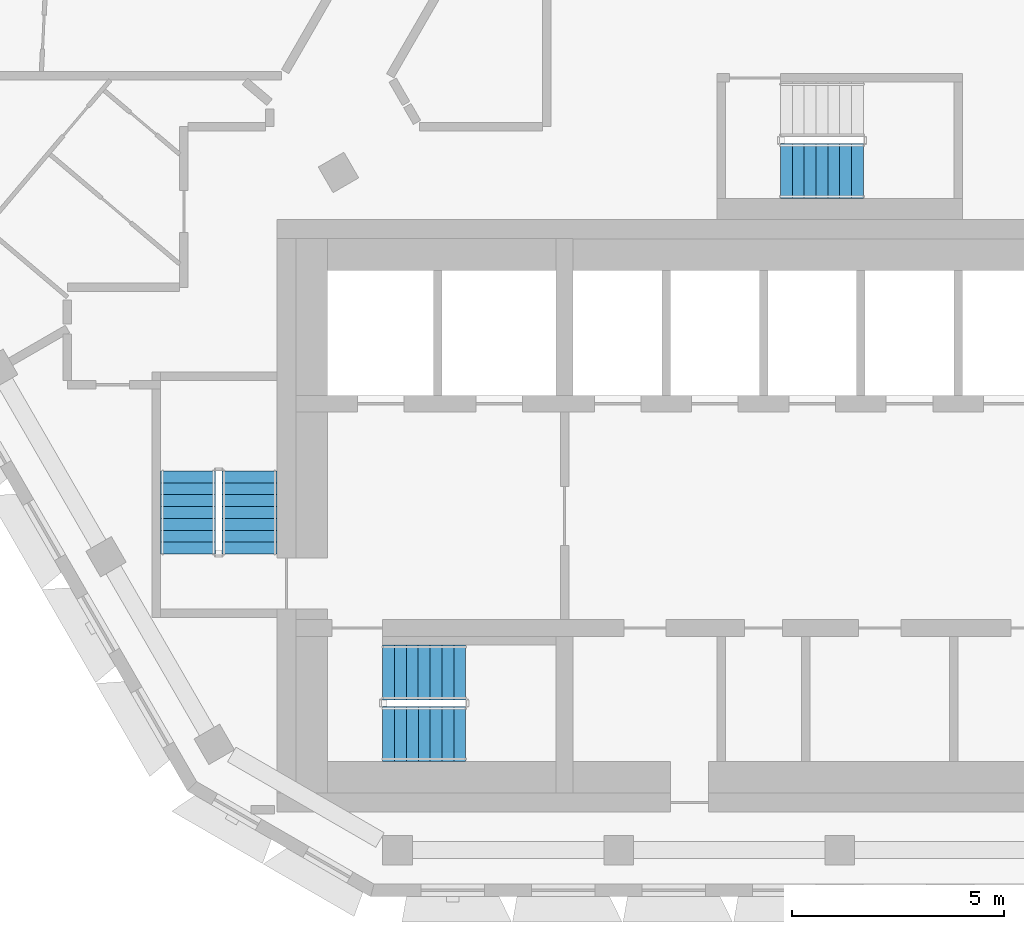
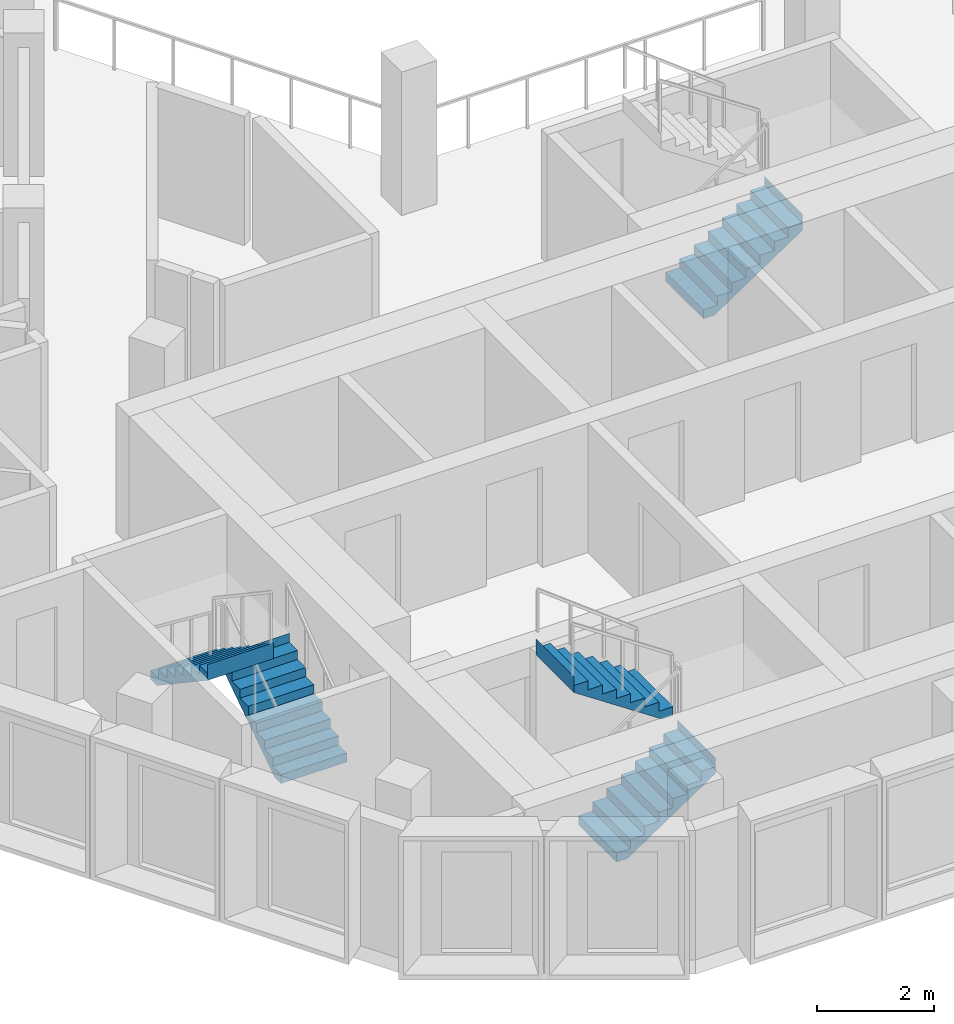
# One storey, part 10 of 16: 5 stair flights, 3 elements without a shape of their own.
"""IFC4 building model written with IfcOpenShell, lengths in metres."""

import ifcopenshell
import ifcopenshell.guid

model = None  # the IFC model being written
_history = None  # IfcOwnerHistory: only IFC2X3 demands one
_inside = {}  # id of a spatial element -> (the spatial element, [elements in it])
_under = {}  # id of a project, library or spatial element -> (it, [spatial elements below it])
_declared = {}  # id of a project -> (the project, [libraries it declares])
_typed = {}  # id of a type object -> (the type object, [elements of that type])
_made_of = {}  # id of a material, layer set ... -> (it, [elements and type objects made of it])


def new_model(schema):
    """Start an empty IFC model of exactly this schema.

    Asked for "IFC4X3", IfcOpenShell would pick the latest addendum, in which some entities
    have other attributes; the version numbers below select the first issue.
    IFC2X3 requires an IfcOwnerHistory on every rooted entity: one is made here for all.
    """
    global model, _history
    if schema == "IFC4X3":
        model = ifcopenshell.file(schema_version=(4, 3, 0, 0))
    else:
        model = ifcopenshell.file(schema=schema)
    _inside.clear()
    _under.clear()
    _declared.clear()
    _typed.clear()
    _made_of.clear()
    _history = None
    if model.schema == "IFC2X3":
        org = make("IfcOrganization", Name="unknown")
        user = make(
            "IfcPersonAndOrganization",
            ThePerson=make("IfcPerson", FamilyName="unknown"),
            TheOrganization=org,
        )
        app = make(
            "IfcApplication",
            ApplicationDeveloper=org,
            Version="unknown",
            ApplicationFullName="unknown",
            ApplicationIdentifier="unknown",
        )
        _history = make(
            "IfcOwnerHistory",
            OwningUser=user,
            OwningApplication=app,
            ChangeAction="ADDED",
            CreationDate=0,
        )
    return model


def make(cls, **values):
    """One entity of the class cls with the attributes given. An attribute that is None is left unset."""
    return model.create_entity(
        cls, **{name: value for name, value in values.items() if value is not None}
    )


def rooted(cls, **values):
    """An entity with a GlobalId (a new one), such as an element, a storey or a relation."""
    return make(cls, GlobalId=ifcopenshell.guid.new(), OwnerHistory=_history, **values)


def si_unit(unit_type, name, prefix=None):
    """IfcSIUnit, for example si_unit("LENGTHUNIT", "METRE", prefix="MILLI")."""
    return make("IfcSIUnit", UnitType=unit_type, Prefix=prefix, Name=name)


def assignment(units):
    """IfcUnitAssignment: the units of a project."""
    return None if units is None else make("IfcUnitAssignment", Units=units)


def point(xyz):
    """IfcCartesianPoint."""
    return None if xyz is None else make("IfcCartesianPoint", Coordinates=xyz)


def direction(xyz):
    """IfcDirection."""
    return None if xyz is None else make("IfcDirection", DirectionRatios=xyz)


def frame(location, z_axis=None, x_axis=None):
    """IfcAxis2Placement3D, a coordinate frame: its origin and axes. An axis left out is left unset."""
    return make(
        "IfcAxis2Placement3D",
        Location=point(location),
        Axis=direction(z_axis),
        RefDirection=direction(x_axis),
    )


def origin():
    """The frame at (0, 0, 0) with its axes left unset."""
    return frame((0.0, 0.0, 0.0))


def place(relative_to, where):
    """IfcLocalPlacement: puts the frame where relative to a parent placement (None: the world)."""
    return make(
        "IfcLocalPlacement", PlacementRelTo=relative_to, RelativePlacement=where
    )


def context(
    kind, dimensions, precision=None, world=None, true_north=None, identifier=None
):
    """IfcGeometricRepresentationContext, for example the 3D "Model" context."""
    return make(
        "IfcGeometricRepresentationContext",
        ContextIdentifier=identifier,
        ContextType=kind,
        CoordinateSpaceDimension=dimensions,
        Precision=precision,
        WorldCoordinateSystem=world,
        TrueNorth=true_north,
    )


def subcontext(parent, identifier, kind, view, scale=None):
    """IfcGeometricRepresentationSubContext, for example "Body" below "Model"."""
    return make(
        "IfcGeometricRepresentationSubContext",
        ContextIdentifier=identifier,
        ContextType=kind,
        ParentContext=parent,
        TargetScale=scale,
        TargetView=view,
    )


def project(units=None, contexts=None):
    """IfcProject with its units and contexts."""
    return rooted(
        "IfcProject",
        Name="project",
        RepresentationContexts=contexts,
        UnitsInContext=assignment(units),
    )


def spatial(cls, under=None, at=None, **own):
    """A site, building, storey or space (cls), placed at a placement, below another one or the project."""
    s = rooted(cls, ObjectPlacement=at, **own)
    if under is not None:
        _under.setdefault(under.id(), (under, []))[1].append(s)
    return s


def point_list(points):
    """IfcCartesianPointList2D or 3D."""
    cls = (
        "IfcCartesianPointList2D" if len(points[0]) == 2 else "IfcCartesianPointList3D"
    )
    return make(cls, CoordList=points)


def triangles(points, corners, closed=None, point_numbers=None):
    """IfcTriangulatedFaceSet: each triangle names its three corners, points numbered from 1."""
    return make(
        "IfcTriangulatedFaceSet",
        Coordinates=point_list(points),
        Closed=closed,
        CoordIndex=corners,
        PnIndex=point_numbers,
    )


def shape(context_of_items, identifier, shape_type, items):
    """IfcShapeRepresentation: the items that make up one representation, for example the "Body"."""
    return make(
        "IfcShapeRepresentation",
        ContextOfItems=context_of_items,
        RepresentationIdentifier=identifier,
        RepresentationType=shape_type,
        Items=items,
    )


def material(Name=None, Category=None):
    """IfcMaterial."""
    return make("IfcMaterial", Name=Name, Category=Category)


def made_of(thing, what):
    """Note that an element or type object is made of a material, layer set ...; save() writes the relation."""
    if what is not None:
        _made_of.setdefault(what.id(), (what, []))[1].append(thing)
    return thing


def type_object(cls, material=None, **own):
    """A type object (cls), such as IfcWallType, which elements share."""
    return made_of(rooted(cls, **own), material)


def element(
    cls,
    number,
    at=None,
    inside=None,
    cuts=None,
    type_object=None,
    material=None,
    context=None,
    identifier="Body",
    shape_type=None,
    held_by="IfcProductDefinitionShape",
    body=None,
    shapes=None,
    **own,
):
    """One element of the class cls, such as IfcWall. Its Tag is "e" and its number.

    at: its placement. inside: the storey or other place that contains it. cuts: it is an
    opening in that element (IfcRelVoidsElement). A single representation is given by context,
    identifier, shape_type and body (its items); several are given by shapes. held_by: the class
    of the entity that holds the representations. save() writes the other relations.
    """
    e = rooted(cls, Tag="e%d" % number, ObjectPlacement=at, **own)
    if body is not None:
        shapes = [shape(context, identifier, shape_type, body)]
    if shapes is not None:
        e.Representation = make(held_by, Representations=shapes)
    if inside is not None:
        _inside.setdefault(inside.id(), (inside, []))[1].append(e)
    if cuts is not None:
        rooted(
            "IfcRelVoidsElement", RelatingBuildingElement=cuts, RelatedOpeningElement=e
        )
    if type_object is not None:
        _typed.setdefault(type_object.id(), (type_object, []))[1].append(e)
    return made_of(e, material)


def aggregate(whole, parts):
    """IfcRelAggregates: a whole, such as a stair, and the parts it consists of."""
    return rooted("IfcRelAggregates", RelatingObject=whole, RelatedObjects=parts)


def save(model, path):
    """Write the relations noted so far, then the file.

    IfcRelAggregates (storeys below a building ...), IfcRelContainedInSpatialStructure (elements
    in a storey), IfcRelDefinesByType, IfcRelAssociatesMaterial and IfcRelDeclares: one each for
    every whole, place, type object, material and project.
    """
    for whole, parts in _under.values():
        aggregate(whole, parts)
    for where, things in _inside.values():
        rooted(
            "IfcRelContainedInSpatialStructure",
            RelatedElements=things,
            RelatingStructure=where,
        )
    for kind, things in _typed.values():
        rooted("IfcRelDefinesByType", RelatedObjects=things, RelatingType=kind)
    for what, things in _made_of.values():
        rooted("IfcRelAssociatesMaterial", RelatedObjects=things, RelatingMaterial=what)
    for by, libraries in _declared.values():
        rooted("IfcRelDeclares", RelatingContext=by, RelatedDefinitions=libraries)
    model.write(path)


model = new_model("IFC4")

# Units and contexts
model_context = context("Model", 3, precision=1e-05, world=origin(), true_north=direction((0.0, 1.0)))
body_context = subcontext(model_context, "Body", "Model", "MODEL_VIEW")
ifc_project = project(units=[si_unit("LENGTHUNIT", "METRE"), si_unit("AREAUNIT", "SQUARE_METRE"), si_unit("VOLUMEUNIT", "CUBIC_METRE"), si_unit("PLANEANGLEUNIT", "RADIAN"), si_unit("MASSUNIT", "GRAM", prefix="KILO")], contexts=[model_context])

# Site, building, storey
site_placement = place(None, origin())
site = spatial("IfcSite", under=ifc_project, at=site_placement, CompositionType="ELEMENT")
building_placement = place(site_placement, origin())
building = spatial("IfcBuilding", under=site, at=building_placement, Name="Beryl Residences", CompositionType="ELEMENT")
storey_placement = place(building_placement, frame((0.0, 0.0, 220.800048828125)))
storey = spatial("IfcBuildingStorey", under=building, at=storey_placement, Name="L68", CompositionType="ELEMENT", Elevation=220.800048828125)

# Stair, stair flights
ifc_material_1 = material(Name="Concrete C40/50", Category="concrete")
stair_type = type_object("IfcStairType", Name="ST1 protected exit stair, half-turn, 1300 mm flights", PredefinedType="HALF_TURN_STAIR", material=ifc_material_1)
stair_1_placement = place(storey_placement, origin())
stair_1 = element("IfcStair", 1, at=stair_1_placement, inside=storey, type_object=stair_type, Name="L68 PROTECTED EXIT STAIR ST-1", PredefinedType="HALF_TURN_STAIR")
ifc_material_2 = material(Name="Concrete C40/50", Category="concrete")
stair_flight_type = type_object("IfcStairFlightType", Name="SF1 stair flight 1300 mm", PredefinedType="STRAIGHT", material=ifc_material_2)
stair_flight_1_placement = place(storey_placement, frame((-10.800048828125, -17.14990234375, 0.0), z_axis=(0.0, 0.0, 1.0), x_axis=(1.0, 0.0, 0.0)))
stair_flight_1 = element("IfcStairFlight", 2, at=stair_flight_1_placement, type_object=stair_flight_type, Name="ST-1 flight 1", NumberOfRisers=8, NumberOfTreads=7, PredefinedType="STRAIGHT", RiserHeight=0.1875, TreadLength=0.28, context=body_context, shape_type="Tessellation", body=[
    triangles([(0.0, -0.64990234375, 0.0), (0.0, -0.324951171875, 0.0), (0.0, 0.0, 0.0), (0.0, 0.324951171875, 0.0), (0.0, 0.64990234375, 0.0), (0.0, -0.64990234375, 0.1875), (0.0, -0.324951171875, 0.1875), (0.0, 0.0, 0.1875), (0.0, 0.324951171875, 0.1875), (0.0, 0.64990234375, 0.1875), (0.280029296875, -0.64990234375, 0.1875), (0.280029296875, -0.324951171875, 0.1875), (0.280029296875, 0.0, 0.1875), (0.280029296875, 0.324951171875, 0.1875), (0.280029296875, 0.64990234375, 0.1875), (0.280029296875, -0.64990234375, 0.375), (0.280029296875, -0.324951171875, 0.375), (0.280029296875, 0.0, 0.375), (0.280029296875, 0.324951171875, 0.375), (0.280029296875, 0.64990234375, 0.375), (0.56005859375, -0.64990234375, 0.375), (0.56005859375, -0.324951171875, 0.375), (0.56005859375, 0.0, 0.375), (0.56005859375, 0.324951171875, 0.375), (0.56005859375, 0.64990234375, 0.375), (0.56005859375, -0.64990234375, 0.5625), (0.56005859375, -0.324951171875, 0.5625), (0.56005859375, 0.0, 0.5625), (0.56005859375, 0.324951171875, 0.5625), (0.56005859375, 0.64990234375, 0.5625), (0.840087890625, -0.64990234375, 0.5625), (0.840087890625, -0.324951171875, 0.5625), (0.840087890625, 0.0, 0.5625), (0.840087890625, 0.324951171875, 0.5625), (0.840087890625, 0.64990234375, 0.5625), (0.840087890625, -0.64990234375, 0.75), (0.840087890625, -0.324951171875, 0.75), (0.840087890625, 0.0, 0.75), (0.840087890625, 0.324951171875, 0.75), (0.840087890625, 0.64990234375, 0.75), (1.1201171875, -0.64990234375, 0.75), (1.1201171875, -0.324951171875, 0.75), (1.1201171875, 0.0, 0.75), (1.1201171875, 0.324951171875, 0.75), (1.1201171875, 0.64990234375, 0.75), (1.1201171875, -0.64990234375, 0.9375), (1.1201171875, -0.324951171875, 0.9375), (1.1201171875, 0.0, 0.9375), (1.1201171875, 0.324951171875, 0.9375), (1.1201171875, 0.64990234375, 0.9375), (1.39990234375, -0.64990234375, 0.9375), (1.39990234375, -0.324951171875, 0.9375), (1.39990234375, 0.0, 0.9375), (1.39990234375, 0.324951171875, 0.9375), (1.39990234375, 0.64990234375, 0.9375), (1.39990234375, -0.64990234375, 1.125), (1.39990234375, -0.324951171875, 1.125), (1.39990234375, 0.0, 1.125), (1.39990234375, 0.324951171875, 1.125), (1.39990234375, 0.64990234375, 1.125), (1.679931640625, -0.64990234375, 1.125), (1.679931640625, -0.324951171875, 1.125), (1.679931640625, 0.0, 1.125), (1.679931640625, 0.324951171875, 1.125), (1.679931640625, 0.64990234375, 1.125), (1.679931640625, -0.64990234375, 1.3125), (1.679931640625, -0.324951171875, 1.3125), (1.679931640625, 0.0, 1.3125), (1.679931640625, 0.324951171875, 1.3125), (1.679931640625, 0.64990234375, 1.3125), (1.9599609375, -0.64990234375, 1.3125), (1.9599609375, -0.324951171875, 1.3125), (1.9599609375, 0.0, 1.3125), (1.9599609375, 0.324951171875, 1.3125), (1.9599609375, 0.64990234375, 1.3125), (1.9599609375, -0.64990234375, 1.5), (1.9599609375, -0.324951171875, 1.5), (1.9599609375, 0.0, 1.5), (1.9599609375, 0.324951171875, 1.5), (1.9599609375, 0.64990234375, 1.5), (1.9609375, -0.64990234375, 1.5), (1.9609375, -0.324951171875, 1.5), (1.9609375, 0.0, 1.5), (1.9609375, 0.324951171875, 1.5), (1.9609375, 0.64990234375, 1.5), (1.9609375, -0.64990234375, 1.16796875), (1.9609375, -0.324951171875, 1.16796875), (1.9609375, 0.0, 1.16796875), (1.9609375, 0.324951171875, 1.16796875), (1.9609375, 0.64990234375, 1.16796875), (0.216796875, -0.64990234375, 0.0), (0.216796875, -0.324951171875, 0.0), (0.216796875, 0.0, 0.0), (0.216796875, 0.324951171875, 0.0), (0.216796875, 0.64990234375, 0.0)], [[1, 6, 7], [1, 7, 2], [2, 7, 8], [2, 8, 3], [3, 8, 9], [3, 9, 4], [4, 9, 10], [4, 10, 5], [6, 11, 12], [6, 12, 7], [7, 12, 13], [7, 13, 8], [8, 13, 14], [8, 14, 9], [9, 14, 15], [9, 15, 10], [11, 16, 17], [11, 17, 12], [12, 17, 18], [12, 18, 13], [13, 18, 19], [13, 19, 14], [14, 19, 20], [14, 20, 15], [16, 21, 22], [16, 22, 17], [17, 22, 23], [17, 23, 18], [18, 23, 24], [18, 24, 19], [19, 24, 25], [19, 25, 20], [21, 26, 27], [21, 27, 22], [22, 27, 28], [22, 28, 23], [23, 28, 29], [23, 29, 24], [24, 29, 30], [24, 30, 25], [26, 31, 32], [26, 32, 27], [27, 32, 33], [27, 33, 28], [28, 33, 34], [28, 34, 29], [29, 34, 35], [29, 35, 30], [31, 36, 37], [31, 37, 32], [32, 37, 38], [32, 38, 33], [33, 38, 39], [33, 39, 34], [34, 39, 40], [34, 40, 35], [36, 41, 42], [36, 42, 37], [37, 42, 43], [37, 43, 38], [38, 43, 44], [38, 44, 39], [39, 44, 45], [39, 45, 40], [41, 46, 47], [41, 47, 42], [42, 47, 48], [42, 48, 43], [43, 48, 49], [43, 49, 44], [44, 49, 50], [44, 50, 45], [46, 51, 52], [46, 52, 47], [47, 52, 53], [47, 53, 48], [48, 53, 54], [48, 54, 49], [49, 54, 55], [49, 55, 50], [51, 56, 57], [51, 57, 52], [52, 57, 58], [52, 58, 53], [53, 58, 59], [53, 59, 54], [54, 59, 60], [54, 60, 55], [56, 61, 62], [56, 62, 57], [57, 62, 63], [57, 63, 58], [58, 63, 64], [58, 64, 59], [59, 64, 65], [59, 65, 60], [61, 66, 67], [61, 67, 62], [62, 67, 68], [62, 68, 63], [63, 68, 69], [63, 69, 64], [64, 69, 70], [64, 70, 65], [66, 71, 72], [66, 72, 67], [67, 72, 73], [67, 73, 68], [68, 73, 74], [68, 74, 69], [69, 74, 75], [69, 75, 70], [71, 76, 77], [71, 77, 72], [72, 77, 78], [72, 78, 73], [73, 78, 79], [73, 79, 74], [74, 79, 80], [74, 80, 75], [76, 81, 82], [76, 82, 77], [77, 82, 83], [77, 83, 78], [78, 83, 84], [78, 84, 79], [79, 84, 85], [79, 85, 80], [81, 86, 87], [81, 87, 82], [82, 87, 88], [82, 88, 83], [83, 88, 89], [83, 89, 84], [84, 89, 90], [84, 90, 85], [86, 91, 92], [86, 92, 87], [87, 92, 93], [87, 93, 88], [88, 93, 94], [88, 94, 89], [89, 94, 95], [89, 95, 90], [91, 1, 2], [91, 2, 92], [92, 2, 3], [92, 3, 93], [93, 3, 4], [93, 4, 94], [94, 4, 5], [94, 5, 95], [1, 91, 86], [5, 90, 95], [86, 81, 76], [90, 80, 85], [86, 76, 71], [90, 75, 80], [86, 71, 66], [90, 70, 75], [86, 66, 61], [90, 65, 70], [61, 56, 51], [65, 55, 60], [86, 61, 51], [90, 55, 65], [51, 46, 41], [55, 45, 50], [86, 51, 41], [90, 45, 55], [41, 36, 31], [45, 35, 40], [86, 41, 31], [90, 35, 45], [31, 26, 21], [35, 25, 30], [86, 31, 21], [90, 25, 35], [21, 16, 11], [25, 15, 20], [86, 21, 11], [90, 15, 25], [1, 86, 11], [5, 15, 90], [11, 6, 1], [15, 5, 10]], closed=True),
])
stair_flight_2_placement = place(storey_placement, frame((-8.840087890625, -15.699951171875, 1.5), z_axis=(0.0, 0.0, 1.0), x_axis=(-1.0, 0.0, 0.0)))
stair_flight_2 = element("IfcStairFlight", 3, at=stair_flight_2_placement, type_object=stair_flight_type, Name="ST-1 flight 2", NumberOfRisers=8, NumberOfTreads=7, PredefinedType="STRAIGHT", RiserHeight=0.1875, TreadLength=0.28, context=body_context, shape_type="Tessellation", body=[
    triangles([(0.0, -0.64990234375, 0.0), (0.0, -0.324951171875, 0.0), (0.0, 0.0, 0.0), (0.0, 0.324951171875, 0.0), (0.0, 0.64990234375, 0.0), (0.0, -0.64990234375, 0.1875), (0.0, -0.324951171875, 0.1875), (0.0, 0.0, 0.1875), (0.0, 0.324951171875, 0.1875), (0.0, 0.64990234375, 0.1875), (0.280029296875, -0.64990234375, 0.1875), (0.280029296875, -0.324951171875, 0.1875), (0.280029296875, 0.0, 0.1875), (0.280029296875, 0.324951171875, 0.1875), (0.280029296875, 0.64990234375, 0.1875), (0.280029296875, -0.64990234375, 0.375), (0.280029296875, -0.324951171875, 0.375), (0.280029296875, 0.0, 0.375), (0.280029296875, 0.324951171875, 0.375), (0.280029296875, 0.64990234375, 0.375), (0.56005859375, -0.64990234375, 0.375), (0.56005859375, -0.324951171875, 0.375), (0.56005859375, 0.0, 0.375), (0.56005859375, 0.324951171875, 0.375), (0.56005859375, 0.64990234375, 0.375), (0.56005859375, -0.64990234375, 0.5625), (0.56005859375, -0.324951171875, 0.5625), (0.56005859375, 0.0, 0.5625), (0.56005859375, 0.324951171875, 0.5625), (0.56005859375, 0.64990234375, 0.5625), (0.840087890625, -0.64990234375, 0.5625), (0.840087890625, -0.324951171875, 0.5625), (0.840087890625, 0.0, 0.5625), (0.840087890625, 0.324951171875, 0.5625), (0.840087890625, 0.64990234375, 0.5625), (0.840087890625, -0.64990234375, 0.75), (0.840087890625, -0.324951171875, 0.75), (0.840087890625, 0.0, 0.75), (0.840087890625, 0.324951171875, 0.75), (0.840087890625, 0.64990234375, 0.75), (1.1201171875, -0.64990234375, 0.75), (1.1201171875, -0.324951171875, 0.75), (1.1201171875, 0.0, 0.75), (1.1201171875, 0.324951171875, 0.75), (1.1201171875, 0.64990234375, 0.75), (1.1201171875, -0.64990234375, 0.9375), (1.1201171875, -0.324951171875, 0.9375), (1.1201171875, 0.0, 0.9375), (1.1201171875, 0.324951171875, 0.9375), (1.1201171875, 0.64990234375, 0.9375), (1.39990234375, -0.64990234375, 0.9375), (1.39990234375, -0.324951171875, 0.9375), (1.39990234375, 0.0, 0.9375), (1.39990234375, 0.324951171875, 0.9375), (1.39990234375, 0.64990234375, 0.9375), (1.39990234375, -0.64990234375, 1.125), (1.39990234375, -0.324951171875, 1.125), (1.39990234375, 0.0, 1.125), (1.39990234375, 0.324951171875, 1.125), (1.39990234375, 0.64990234375, 1.125), (1.679931640625, -0.64990234375, 1.125), (1.679931640625, -0.324951171875, 1.125), (1.679931640625, 0.0, 1.125), (1.679931640625, 0.324951171875, 1.125), (1.679931640625, 0.64990234375, 1.125), (1.679931640625, -0.64990234375, 1.3125), (1.679931640625, -0.324951171875, 1.3125), (1.679931640625, 0.0, 1.3125), (1.679931640625, 0.324951171875, 1.3125), (1.679931640625, 0.64990234375, 1.3125), (1.9599609375, -0.64990234375, 1.3125), (1.9599609375, -0.324951171875, 1.3125), (1.9599609375, 0.0, 1.3125), (1.9599609375, 0.324951171875, 1.3125), (1.9599609375, 0.64990234375, 1.3125), (1.9599609375, -0.64990234375, 1.5), (1.9599609375, -0.324951171875, 1.5), (1.9599609375, 0.0, 1.5), (1.9599609375, 0.324951171875, 1.5), (1.9599609375, 0.64990234375, 1.5), (1.9609375, -0.64990234375, 1.5), (1.9609375, -0.324951171875, 1.5), (1.9609375, 0.0, 1.5), (1.9609375, 0.324951171875, 1.5), (1.9609375, 0.64990234375, 1.5), (1.9609375, -0.64990234375, 1.16796875), (1.9609375, -0.324951171875, 1.16796875), (1.9609375, 0.0, 1.16796875), (1.9609375, 0.324951171875, 1.16796875), (1.9609375, 0.64990234375, 1.16796875), (0.216796875, -0.64990234375, 0.0), (0.216796875, -0.324951171875, 0.0), (0.216796875, 0.0, 0.0), (0.216796875, 0.324951171875, 0.0), (0.216796875, 0.64990234375, 0.0)], [[1, 6, 7], [1, 7, 2], [2, 7, 8], [2, 8, 3], [3, 8, 9], [3, 9, 4], [4, 9, 10], [4, 10, 5], [6, 11, 12], [6, 12, 7], [7, 12, 13], [7, 13, 8], [8, 13, 14], [8, 14, 9], [9, 14, 15], [9, 15, 10], [11, 16, 17], [11, 17, 12], [12, 17, 18], [12, 18, 13], [13, 18, 19], [13, 19, 14], [14, 19, 20], [14, 20, 15], [16, 21, 22], [16, 22, 17], [17, 22, 23], [17, 23, 18], [18, 23, 24], [18, 24, 19], [19, 24, 25], [19, 25, 20], [21, 26, 27], [21, 27, 22], [22, 27, 28], [22, 28, 23], [23, 28, 29], [23, 29, 24], [24, 29, 30], [24, 30, 25], [26, 31, 32], [26, 32, 27], [27, 32, 33], [27, 33, 28], [28, 33, 34], [28, 34, 29], [29, 34, 35], [29, 35, 30], [31, 36, 37], [31, 37, 32], [32, 37, 38], [32, 38, 33], [33, 38, 39], [33, 39, 34], [34, 39, 40], [34, 40, 35], [36, 41, 42], [36, 42, 37], [37, 42, 43], [37, 43, 38], [38, 43, 44], [38, 44, 39], [39, 44, 45], [39, 45, 40], [41, 46, 47], [41, 47, 42], [42, 47, 48], [42, 48, 43], [43, 48, 49], [43, 49, 44], [44, 49, 50], [44, 50, 45], [46, 51, 52], [46, 52, 47], [47, 52, 53], [47, 53, 48], [48, 53, 54], [48, 54, 49], [49, 54, 55], [49, 55, 50], [51, 56, 57], [51, 57, 52], [52, 57, 58], [52, 58, 53], [53, 58, 59], [53, 59, 54], [54, 59, 60], [54, 60, 55], [56, 61, 62], [56, 62, 57], [57, 62, 63], [57, 63, 58], [58, 63, 64], [58, 64, 59], [59, 64, 65], [59, 65, 60], [61, 66, 67], [61, 67, 62], [62, 67, 68], [62, 68, 63], [63, 68, 69], [63, 69, 64], [64, 69, 70], [64, 70, 65], [66, 71, 72], [66, 72, 67], [67, 72, 73], [67, 73, 68], [68, 73, 74], [68, 74, 69], [69, 74, 75], [69, 75, 70], [71, 76, 77], [71, 77, 72], [72, 77, 78], [72, 78, 73], [73, 78, 79], [73, 79, 74], [74, 79, 80], [74, 80, 75], [76, 81, 82], [76, 82, 77], [77, 82, 83], [77, 83, 78], [78, 83, 84], [78, 84, 79], [79, 84, 85], [79, 85, 80], [81, 86, 87], [81, 87, 82], [82, 87, 88], [82, 88, 83], [83, 88, 89], [83, 89, 84], [84, 89, 90], [84, 90, 85], [86, 91, 92], [86, 92, 87], [87, 92, 93], [87, 93, 88], [88, 93, 94], [88, 94, 89], [89, 94, 95], [89, 95, 90], [91, 1, 2], [91, 2, 92], [92, 2, 3], [92, 3, 93], [93, 3, 4], [93, 4, 94], [94, 4, 5], [94, 5, 95], [1, 91, 86], [5, 90, 95], [86, 81, 76], [90, 80, 85], [86, 76, 71], [90, 75, 80], [86, 71, 66], [90, 70, 75], [86, 66, 61], [90, 65, 70], [61, 56, 51], [65, 55, 60], [86, 61, 51], [90, 55, 65], [51, 46, 41], [55, 45, 50], [86, 51, 41], [90, 45, 55], [41, 36, 31], [45, 35, 40], [86, 41, 31], [90, 35, 45], [31, 26, 21], [35, 25, 30], [86, 31, 21], [90, 25, 35], [21, 16, 11], [25, 15, 20], [86, 21, 11], [90, 15, 25], [1, 86, 11], [5, 15, 90], [11, 6, 1], [15, 5, 10]], closed=True),
])
aggregate(stair_1, [stair_flight_1, stair_flight_2])

stair_2_placement = place(storey_placement, origin())
stair_2 = element("IfcStair", 4, at=stair_2_placement, inside=storey, type_object=stair_type, Name="L68 PROTECTED EXIT STAIR ST-2", PredefinedType="HALF_TURN_STAIR")
stair_flight_3_placement = place(storey_placement, frame((-13.949951171875, -12.89990234375, 0.0), z_axis=(0.0, 0.0, 1.0), x_axis=(0.0, 1.0, 0.0)))
stair_flight_3 = element("IfcStairFlight", 5, at=stair_flight_3_placement, type_object=stair_flight_type, Name="ST-2 flight 1", NumberOfRisers=8, NumberOfTreads=7, PredefinedType="STRAIGHT", RiserHeight=0.1875, TreadLength=0.28, context=body_context, shape_type="Tessellation", body=[
    triangles([(0.0, -0.64990234375, 0.0), (0.0, -0.324951171875, 0.0), (0.0, 0.0, 0.0), (0.0, 0.324951171875, 0.0), (0.0, 0.64990234375, 0.0), (0.0, -0.64990234375, 0.1875), (0.0, -0.324951171875, 0.1875), (0.0, 0.0, 0.1875), (0.0, 0.324951171875, 0.1875), (0.0, 0.64990234375, 0.1875), (0.280029296875, -0.64990234375, 0.1875), (0.280029296875, -0.324951171875, 0.1875), (0.280029296875, 0.0, 0.1875), (0.280029296875, 0.324951171875, 0.1875), (0.280029296875, 0.64990234375, 0.1875), (0.280029296875, -0.64990234375, 0.375), (0.280029296875, -0.324951171875, 0.375), (0.280029296875, 0.0, 0.375), (0.280029296875, 0.324951171875, 0.375), (0.280029296875, 0.64990234375, 0.375), (0.56005859375, -0.64990234375, 0.375), (0.56005859375, -0.324951171875, 0.375), (0.56005859375, 0.0, 0.375), (0.56005859375, 0.324951171875, 0.375), (0.56005859375, 0.64990234375, 0.375), (0.56005859375, -0.64990234375, 0.5625), (0.56005859375, -0.324951171875, 0.5625), (0.56005859375, 0.0, 0.5625), (0.56005859375, 0.324951171875, 0.5625), (0.56005859375, 0.64990234375, 0.5625), (0.840087890625, -0.64990234375, 0.5625), (0.840087890625, -0.324951171875, 0.5625), (0.840087890625, 0.0, 0.5625), (0.840087890625, 0.324951171875, 0.5625), (0.840087890625, 0.64990234375, 0.5625), (0.840087890625, -0.64990234375, 0.75), (0.840087890625, -0.324951171875, 0.75), (0.840087890625, 0.0, 0.75), (0.840087890625, 0.324951171875, 0.75), (0.840087890625, 0.64990234375, 0.75), (1.1201171875, -0.64990234375, 0.75), (1.1201171875, -0.324951171875, 0.75), (1.1201171875, 0.0, 0.75), (1.1201171875, 0.324951171875, 0.75), (1.1201171875, 0.64990234375, 0.75), (1.1201171875, -0.64990234375, 0.9375), (1.1201171875, -0.324951171875, 0.9375), (1.1201171875, 0.0, 0.9375), (1.1201171875, 0.324951171875, 0.9375), (1.1201171875, 0.64990234375, 0.9375), (1.39990234375, -0.64990234375, 0.9375), (1.39990234375, -0.324951171875, 0.9375), (1.39990234375, 0.0, 0.9375), (1.39990234375, 0.324951171875, 0.9375), (1.39990234375, 0.64990234375, 0.9375), (1.39990234375, -0.64990234375, 1.125), (1.39990234375, -0.324951171875, 1.125), (1.39990234375, 0.0, 1.125), (1.39990234375, 0.324951171875, 1.125), (1.39990234375, 0.64990234375, 1.125), (1.679931640625, -0.64990234375, 1.125), (1.679931640625, -0.324951171875, 1.125), (1.679931640625, 0.0, 1.125), (1.679931640625, 0.324951171875, 1.125), (1.679931640625, 0.64990234375, 1.125), (1.679931640625, -0.64990234375, 1.3125), (1.679931640625, -0.324951171875, 1.3125), (1.679931640625, 0.0, 1.3125), (1.679931640625, 0.324951171875, 1.3125), (1.679931640625, 0.64990234375, 1.3125), (1.9599609375, -0.64990234375, 1.3125), (1.9599609375, -0.324951171875, 1.3125), (1.9599609375, 0.0, 1.3125), (1.9599609375, 0.324951171875, 1.3125), (1.9599609375, 0.64990234375, 1.3125), (1.9599609375, -0.64990234375, 1.5), (1.9599609375, -0.324951171875, 1.5), (1.9599609375, 0.0, 1.5), (1.9599609375, 0.324951171875, 1.5), (1.9599609375, 0.64990234375, 1.5), (1.9609375, -0.64990234375, 1.5), (1.9609375, -0.324951171875, 1.5), (1.9609375, 0.0, 1.5), (1.9609375, 0.324951171875, 1.5), (1.9609375, 0.64990234375, 1.5), (1.9609375, -0.64990234375, 1.16796875), (1.9609375, -0.324951171875, 1.16796875), (1.9609375, 0.0, 1.16796875), (1.9609375, 0.324951171875, 1.16796875), (1.9609375, 0.64990234375, 1.16796875), (0.216796875, -0.64990234375, 0.0), (0.216796875, -0.324951171875, 0.0), (0.216796875, 0.0, 0.0), (0.216796875, 0.324951171875, 0.0), (0.216796875, 0.64990234375, 0.0)], [[1, 6, 7], [1, 7, 2], [2, 7, 8], [2, 8, 3], [3, 8, 9], [3, 9, 4], [4, 9, 10], [4, 10, 5], [6, 11, 12], [6, 12, 7], [7, 12, 13], [7, 13, 8], [8, 13, 14], [8, 14, 9], [9, 14, 15], [9, 15, 10], [11, 16, 17], [11, 17, 12], [12, 17, 18], [12, 18, 13], [13, 18, 19], [13, 19, 14], [14, 19, 20], [14, 20, 15], [16, 21, 22], [16, 22, 17], [17, 22, 23], [17, 23, 18], [18, 23, 24], [18, 24, 19], [19, 24, 25], [19, 25, 20], [21, 26, 27], [21, 27, 22], [22, 27, 28], [22, 28, 23], [23, 28, 29], [23, 29, 24], [24, 29, 30], [24, 30, 25], [26, 31, 32], [26, 32, 27], [27, 32, 33], [27, 33, 28], [28, 33, 34], [28, 34, 29], [29, 34, 35], [29, 35, 30], [31, 36, 37], [31, 37, 32], [32, 37, 38], [32, 38, 33], [33, 38, 39], [33, 39, 34], [34, 39, 40], [34, 40, 35], [36, 41, 42], [36, 42, 37], [37, 42, 43], [37, 43, 38], [38, 43, 44], [38, 44, 39], [39, 44, 45], [39, 45, 40], [41, 46, 47], [41, 47, 42], [42, 47, 48], [42, 48, 43], [43, 48, 49], [43, 49, 44], [44, 49, 50], [44, 50, 45], [46, 51, 52], [46, 52, 47], [47, 52, 53], [47, 53, 48], [48, 53, 54], [48, 54, 49], [49, 54, 55], [49, 55, 50], [51, 56, 57], [51, 57, 52], [52, 57, 58], [52, 58, 53], [53, 58, 59], [53, 59, 54], [54, 59, 60], [54, 60, 55], [56, 61, 62], [56, 62, 57], [57, 62, 63], [57, 63, 58], [58, 63, 64], [58, 64, 59], [59, 64, 65], [59, 65, 60], [61, 66, 67], [61, 67, 62], [62, 67, 68], [62, 68, 63], [63, 68, 69], [63, 69, 64], [64, 69, 70], [64, 70, 65], [66, 71, 72], [66, 72, 67], [67, 72, 73], [67, 73, 68], [68, 73, 74], [68, 74, 69], [69, 74, 75], [69, 75, 70], [71, 76, 77], [71, 77, 72], [72, 77, 78], [72, 78, 73], [73, 78, 79], [73, 79, 74], [74, 79, 80], [74, 80, 75], [76, 81, 82], [76, 82, 77], [77, 82, 83], [77, 83, 78], [78, 83, 84], [78, 84, 79], [79, 84, 85], [79, 85, 80], [81, 86, 87], [81, 87, 82], [82, 87, 88], [82, 88, 83], [83, 88, 89], [83, 89, 84], [84, 89, 90], [84, 90, 85], [86, 91, 92], [86, 92, 87], [87, 92, 93], [87, 93, 88], [88, 93, 94], [88, 94, 89], [89, 94, 95], [89, 95, 90], [91, 1, 2], [91, 2, 92], [92, 2, 3], [92, 3, 93], [93, 3, 4], [93, 4, 94], [94, 4, 5], [94, 5, 95], [1, 91, 86], [5, 90, 95], [86, 81, 76], [90, 80, 85], [86, 76, 71], [90, 75, 80], [86, 71, 66], [90, 70, 75], [86, 66, 61], [90, 65, 70], [61, 56, 51], [65, 55, 60], [86, 61, 51], [90, 55, 65], [51, 46, 41], [55, 45, 50], [86, 51, 41], [90, 45, 55], [41, 36, 31], [45, 35, 40], [86, 41, 31], [90, 35, 45], [31, 26, 21], [35, 25, 30], [86, 31, 21], [90, 25, 35], [21, 16, 11], [25, 15, 20], [86, 21, 11], [90, 15, 25], [1, 86, 11], [5, 15, 90], [11, 6, 1], [15, 5, 10]], closed=True),
])
stair_flight_4_placement = place(storey_placement, frame((-15.39990234375, -10.93994140625, 1.5), z_axis=(0.0, 0.0, 1.0), x_axis=(0.0, -1.0, 0.0)))
stair_flight_4 = element("IfcStairFlight", 6, at=stair_flight_4_placement, type_object=stair_flight_type, Name="ST-2 flight 2", NumberOfRisers=8, NumberOfTreads=7, PredefinedType="STRAIGHT", RiserHeight=0.1875, TreadLength=0.28, context=body_context, shape_type="Tessellation", body=[
    triangles([(0.0, -0.64990234375, 0.0), (0.0, -0.324951171875, 0.0), (0.0, 0.0, 0.0), (0.0, 0.324951171875, 0.0), (0.0, 0.64990234375, 0.0), (0.0, -0.64990234375, 0.1875), (0.0, -0.324951171875, 0.1875), (0.0, 0.0, 0.1875), (0.0, 0.324951171875, 0.1875), (0.0, 0.64990234375, 0.1875), (0.280029296875, -0.64990234375, 0.1875), (0.280029296875, -0.324951171875, 0.1875), (0.280029296875, 0.0, 0.1875), (0.280029296875, 0.324951171875, 0.1875), (0.280029296875, 0.64990234375, 0.1875), (0.280029296875, -0.64990234375, 0.375), (0.280029296875, -0.324951171875, 0.375), (0.280029296875, 0.0, 0.375), (0.280029296875, 0.324951171875, 0.375), (0.280029296875, 0.64990234375, 0.375), (0.56005859375, -0.64990234375, 0.375), (0.56005859375, -0.324951171875, 0.375), (0.56005859375, 0.0, 0.375), (0.56005859375, 0.324951171875, 0.375), (0.56005859375, 0.64990234375, 0.375), (0.56005859375, -0.64990234375, 0.5625), (0.56005859375, -0.324951171875, 0.5625), (0.56005859375, 0.0, 0.5625), (0.56005859375, 0.324951171875, 0.5625), (0.56005859375, 0.64990234375, 0.5625), (0.840087890625, -0.64990234375, 0.5625), (0.840087890625, -0.324951171875, 0.5625), (0.840087890625, 0.0, 0.5625), (0.840087890625, 0.324951171875, 0.5625), (0.840087890625, 0.64990234375, 0.5625), (0.840087890625, -0.64990234375, 0.75), (0.840087890625, -0.324951171875, 0.75), (0.840087890625, 0.0, 0.75), (0.840087890625, 0.324951171875, 0.75), (0.840087890625, 0.64990234375, 0.75), (1.1201171875, -0.64990234375, 0.75), (1.1201171875, -0.324951171875, 0.75), (1.1201171875, 0.0, 0.75), (1.1201171875, 0.324951171875, 0.75), (1.1201171875, 0.64990234375, 0.75), (1.1201171875, -0.64990234375, 0.9375), (1.1201171875, -0.324951171875, 0.9375), (1.1201171875, 0.0, 0.9375), (1.1201171875, 0.324951171875, 0.9375), (1.1201171875, 0.64990234375, 0.9375), (1.39990234375, -0.64990234375, 0.9375), (1.39990234375, -0.324951171875, 0.9375), (1.39990234375, 0.0, 0.9375), (1.39990234375, 0.324951171875, 0.9375), (1.39990234375, 0.64990234375, 0.9375), (1.39990234375, -0.64990234375, 1.125), (1.39990234375, -0.324951171875, 1.125), (1.39990234375, 0.0, 1.125), (1.39990234375, 0.324951171875, 1.125), (1.39990234375, 0.64990234375, 1.125), (1.679931640625, -0.64990234375, 1.125), (1.679931640625, -0.324951171875, 1.125), (1.679931640625, 0.0, 1.125), (1.679931640625, 0.324951171875, 1.125), (1.679931640625, 0.64990234375, 1.125), (1.679931640625, -0.64990234375, 1.3125), (1.679931640625, -0.324951171875, 1.3125), (1.679931640625, 0.0, 1.3125), (1.679931640625, 0.324951171875, 1.3125), (1.679931640625, 0.64990234375, 1.3125), (1.9599609375, -0.64990234375, 1.3125), (1.9599609375, -0.324951171875, 1.3125), (1.9599609375, 0.0, 1.3125), (1.9599609375, 0.324951171875, 1.3125), (1.9599609375, 0.64990234375, 1.3125), (1.9599609375, -0.64990234375, 1.5), (1.9599609375, -0.324951171875, 1.5), (1.9599609375, 0.0, 1.5), (1.9599609375, 0.324951171875, 1.5), (1.9599609375, 0.64990234375, 1.5), (1.9609375, -0.64990234375, 1.5), (1.9609375, -0.324951171875, 1.5), (1.9609375, 0.0, 1.5), (1.9609375, 0.324951171875, 1.5), (1.9609375, 0.64990234375, 1.5), (1.9609375, -0.64990234375, 1.16796875), (1.9609375, -0.324951171875, 1.16796875), (1.9609375, 0.0, 1.16796875), (1.9609375, 0.324951171875, 1.16796875), (1.9609375, 0.64990234375, 1.16796875), (0.216796875, -0.64990234375, 0.0), (0.216796875, -0.324951171875, 0.0), (0.216796875, 0.0, 0.0), (0.216796875, 0.324951171875, 0.0), (0.216796875, 0.64990234375, 0.0)], [[1, 6, 7], [1, 7, 2], [2, 7, 8], [2, 8, 3], [3, 8, 9], [3, 9, 4], [4, 9, 10], [4, 10, 5], [6, 11, 12], [6, 12, 7], [7, 12, 13], [7, 13, 8], [8, 13, 14], [8, 14, 9], [9, 14, 15], [9, 15, 10], [11, 16, 17], [11, 17, 12], [12, 17, 18], [12, 18, 13], [13, 18, 19], [13, 19, 14], [14, 19, 20], [14, 20, 15], [16, 21, 22], [16, 22, 17], [17, 22, 23], [17, 23, 18], [18, 23, 24], [18, 24, 19], [19, 24, 25], [19, 25, 20], [21, 26, 27], [21, 27, 22], [22, 27, 28], [22, 28, 23], [23, 28, 29], [23, 29, 24], [24, 29, 30], [24, 30, 25], [26, 31, 32], [26, 32, 27], [27, 32, 33], [27, 33, 28], [28, 33, 34], [28, 34, 29], [29, 34, 35], [29, 35, 30], [31, 36, 37], [31, 37, 32], [32, 37, 38], [32, 38, 33], [33, 38, 39], [33, 39, 34], [34, 39, 40], [34, 40, 35], [36, 41, 42], [36, 42, 37], [37, 42, 43], [37, 43, 38], [38, 43, 44], [38, 44, 39], [39, 44, 45], [39, 45, 40], [41, 46, 47], [41, 47, 42], [42, 47, 48], [42, 48, 43], [43, 48, 49], [43, 49, 44], [44, 49, 50], [44, 50, 45], [46, 51, 52], [46, 52, 47], [47, 52, 53], [47, 53, 48], [48, 53, 54], [48, 54, 49], [49, 54, 55], [49, 55, 50], [51, 56, 57], [51, 57, 52], [52, 57, 58], [52, 58, 53], [53, 58, 59], [53, 59, 54], [54, 59, 60], [54, 60, 55], [56, 61, 62], [56, 62, 57], [57, 62, 63], [57, 63, 58], [58, 63, 64], [58, 64, 59], [59, 64, 65], [59, 65, 60], [61, 66, 67], [61, 67, 62], [62, 67, 68], [62, 68, 63], [63, 68, 69], [63, 69, 64], [64, 69, 70], [64, 70, 65], [66, 71, 72], [66, 72, 67], [67, 72, 73], [67, 73, 68], [68, 73, 74], [68, 74, 69], [69, 74, 75], [69, 75, 70], [71, 76, 77], [71, 77, 72], [72, 77, 78], [72, 78, 73], [73, 78, 79], [73, 79, 74], [74, 79, 80], [74, 80, 75], [76, 81, 82], [76, 82, 77], [77, 82, 83], [77, 83, 78], [78, 83, 84], [78, 84, 79], [79, 84, 85], [79, 85, 80], [81, 86, 87], [81, 87, 82], [82, 87, 88], [82, 88, 83], [83, 88, 89], [83, 89, 84], [84, 89, 90], [84, 90, 85], [86, 91, 92], [86, 92, 87], [87, 92, 93], [87, 93, 88], [88, 93, 94], [88, 94, 89], [89, 94, 95], [89, 95, 90], [91, 1, 2], [91, 2, 92], [92, 2, 3], [92, 3, 93], [93, 3, 4], [93, 4, 94], [94, 4, 5], [94, 5, 95], [1, 91, 86], [5, 90, 95], [86, 81, 76], [90, 80, 85], [86, 76, 71], [90, 75, 80], [86, 71, 66], [90, 70, 75], [86, 66, 61], [90, 65, 70], [61, 56, 51], [65, 55, 60], [86, 61, 51], [90, 55, 65], [51, 46, 41], [55, 45, 50], [86, 51, 41], [90, 45, 55], [41, 36, 31], [45, 35, 40], [86, 41, 31], [90, 35, 45], [31, 26, 21], [35, 25, 30], [86, 31, 21], [90, 25, 35], [21, 16, 11], [25, 15, 20], [86, 21, 11], [90, 15, 25], [1, 86, 11], [5, 15, 90], [11, 6, 1], [15, 5, 10]], closed=True),
])
aggregate(stair_2, [stair_flight_3, stair_flight_4])

# Stair, stair flight
stair_3_placement = place(storey_placement, origin())
stair_3 = element("IfcStair", 7, at=stair_3_placement, inside=storey, type_object=stair_type, Name="L68 PROTECTED EXIT STAIR ST-4", PredefinedType="HALF_TURN_STAIR")
stair_flight_5_placement = place(storey_placement, frame((-1.39990234375, -3.85009765625, 0.0), z_axis=(0.0, 0.0, 1.0), x_axis=(1.0, 0.0, 0.0)))
stair_flight_5 = element("IfcStairFlight", 8, at=stair_flight_5_placement, type_object=stair_flight_type, Name="ST-4 flight 1", NumberOfRisers=8, NumberOfTreads=7, PredefinedType="STRAIGHT", RiserHeight=0.1875, TreadLength=0.28, context=body_context, shape_type="Tessellation", body=[
    triangles([(0.0, -0.64990234375, 0.0), (0.0, -0.324951171875, 0.0), (0.0, 0.0, 0.0), (0.0, 0.324951171875, 0.0), (0.0, 0.64990234375, 0.0), (0.0, -0.64990234375, 0.1875), (0.0, -0.324951171875, 0.1875), (0.0, 0.0, 0.1875), (0.0, 0.324951171875, 0.1875), (0.0, 0.64990234375, 0.1875), (0.280029296875, -0.64990234375, 0.1875), (0.280029296875, -0.324951171875, 0.1875), (0.280029296875, 0.0, 0.1875), (0.280029296875, 0.324951171875, 0.1875), (0.280029296875, 0.64990234375, 0.1875), (0.280029296875, -0.64990234375, 0.375), (0.280029296875, -0.324951171875, 0.375), (0.280029296875, 0.0, 0.375), (0.280029296875, 0.324951171875, 0.375), (0.280029296875, 0.64990234375, 0.375), (0.56005859375, -0.64990234375, 0.375), (0.56005859375, -0.324951171875, 0.375), (0.56005859375, 0.0, 0.375), (0.56005859375, 0.324951171875, 0.375), (0.56005859375, 0.64990234375, 0.375), (0.56005859375, -0.64990234375, 0.5625), (0.56005859375, -0.324951171875, 0.5625), (0.56005859375, 0.0, 0.5625), (0.56005859375, 0.324951171875, 0.5625), (0.56005859375, 0.64990234375, 0.5625), (0.840087890625, -0.64990234375, 0.5625), (0.840087890625, -0.324951171875, 0.5625), (0.840087890625, 0.0, 0.5625), (0.840087890625, 0.324951171875, 0.5625), (0.840087890625, 0.64990234375, 0.5625), (0.840087890625, -0.64990234375, 0.75), (0.840087890625, -0.324951171875, 0.75), (0.840087890625, 0.0, 0.75), (0.840087890625, 0.324951171875, 0.75), (0.840087890625, 0.64990234375, 0.75), (1.1201171875, -0.64990234375, 0.75), (1.1201171875, -0.324951171875, 0.75), (1.1201171875, 0.0, 0.75), (1.1201171875, 0.324951171875, 0.75), (1.1201171875, 0.64990234375, 0.75), (1.1201171875, -0.64990234375, 0.9375), (1.1201171875, -0.324951171875, 0.9375), (1.1201171875, 0.0, 0.9375), (1.1201171875, 0.324951171875, 0.9375), (1.1201171875, 0.64990234375, 0.9375), (1.39990234375, -0.64990234375, 0.9375), (1.39990234375, -0.324951171875, 0.9375), (1.39990234375, 0.0, 0.9375), (1.39990234375, 0.324951171875, 0.9375), (1.39990234375, 0.64990234375, 0.9375), (1.39990234375, -0.64990234375, 1.125), (1.39990234375, -0.324951171875, 1.125), (1.39990234375, 0.0, 1.125), (1.39990234375, 0.324951171875, 1.125), (1.39990234375, 0.64990234375, 1.125), (1.679931640625, -0.64990234375, 1.125), (1.679931640625, -0.324951171875, 1.125), (1.679931640625, 0.0, 1.125), (1.679931640625, 0.324951171875, 1.125), (1.679931640625, 0.64990234375, 1.125), (1.679931640625, -0.64990234375, 1.3125), (1.679931640625, -0.324951171875, 1.3125), (1.679931640625, 0.0, 1.3125), (1.679931640625, 0.324951171875, 1.3125), (1.679931640625, 0.64990234375, 1.3125), (1.9599609375, -0.64990234375, 1.3125), (1.9599609375, -0.324951171875, 1.3125), (1.9599609375, 0.0, 1.3125), (1.9599609375, 0.324951171875, 1.3125), (1.9599609375, 0.64990234375, 1.3125), (1.9599609375, -0.64990234375, 1.5), (1.9599609375, -0.324951171875, 1.5), (1.9599609375, 0.0, 1.5), (1.9599609375, 0.324951171875, 1.5), (1.9599609375, 0.64990234375, 1.5), (1.9609375, -0.64990234375, 1.5), (1.9609375, -0.324951171875, 1.5), (1.9609375, 0.0, 1.5), (1.9609375, 0.324951171875, 1.5), (1.9609375, 0.64990234375, 1.5), (1.9609375, -0.64990234375, 1.16796875), (1.9609375, -0.324951171875, 1.16796875), (1.9609375, 0.0, 1.16796875), (1.9609375, 0.324951171875, 1.16796875), (1.9609375, 0.64990234375, 1.16796875), (0.216796875, -0.64990234375, 0.0), (0.216796875, -0.324951171875, 0.0), (0.216796875, 0.0, 0.0), (0.216796875, 0.324951171875, 0.0), (0.216796875, 0.64990234375, 0.0)], [[1, 6, 7], [1, 7, 2], [2, 7, 8], [2, 8, 3], [3, 8, 9], [3, 9, 4], [4, 9, 10], [4, 10, 5], [6, 11, 12], [6, 12, 7], [7, 12, 13], [7, 13, 8], [8, 13, 14], [8, 14, 9], [9, 14, 15], [9, 15, 10], [11, 16, 17], [11, 17, 12], [12, 17, 18], [12, 18, 13], [13, 18, 19], [13, 19, 14], [14, 19, 20], [14, 20, 15], [16, 21, 22], [16, 22, 17], [17, 22, 23], [17, 23, 18], [18, 23, 24], [18, 24, 19], [19, 24, 25], [19, 25, 20], [21, 26, 27], [21, 27, 22], [22, 27, 28], [22, 28, 23], [23, 28, 29], [23, 29, 24], [24, 29, 30], [24, 30, 25], [26, 31, 32], [26, 32, 27], [27, 32, 33], [27, 33, 28], [28, 33, 34], [28, 34, 29], [29, 34, 35], [29, 35, 30], [31, 36, 37], [31, 37, 32], [32, 37, 38], [32, 38, 33], [33, 38, 39], [33, 39, 34], [34, 39, 40], [34, 40, 35], [36, 41, 42], [36, 42, 37], [37, 42, 43], [37, 43, 38], [38, 43, 44], [38, 44, 39], [39, 44, 45], [39, 45, 40], [41, 46, 47], [41, 47, 42], [42, 47, 48], [42, 48, 43], [43, 48, 49], [43, 49, 44], [44, 49, 50], [44, 50, 45], [46, 51, 52], [46, 52, 47], [47, 52, 53], [47, 53, 48], [48, 53, 54], [48, 54, 49], [49, 54, 55], [49, 55, 50], [51, 56, 57], [51, 57, 52], [52, 57, 58], [52, 58, 53], [53, 58, 59], [53, 59, 54], [54, 59, 60], [54, 60, 55], [56, 61, 62], [56, 62, 57], [57, 62, 63], [57, 63, 58], [58, 63, 64], [58, 64, 59], [59, 64, 65], [59, 65, 60], [61, 66, 67], [61, 67, 62], [62, 67, 68], [62, 68, 63], [63, 68, 69], [63, 69, 64], [64, 69, 70], [64, 70, 65], [66, 71, 72], [66, 72, 67], [67, 72, 73], [67, 73, 68], [68, 73, 74], [68, 74, 69], [69, 74, 75], [69, 75, 70], [71, 76, 77], [71, 77, 72], [72, 77, 78], [72, 78, 73], [73, 78, 79], [73, 79, 74], [74, 79, 80], [74, 80, 75], [76, 81, 82], [76, 82, 77], [77, 82, 83], [77, 83, 78], [78, 83, 84], [78, 84, 79], [79, 84, 85], [79, 85, 80], [81, 86, 87], [81, 87, 82], [82, 87, 88], [82, 88, 83], [83, 88, 89], [83, 89, 84], [84, 89, 90], [84, 90, 85], [86, 91, 92], [86, 92, 87], [87, 92, 93], [87, 93, 88], [88, 93, 94], [88, 94, 89], [89, 94, 95], [89, 95, 90], [91, 1, 2], [91, 2, 92], [92, 2, 3], [92, 3, 93], [93, 3, 4], [93, 4, 94], [94, 4, 5], [94, 5, 95], [1, 91, 86], [5, 90, 95], [86, 81, 76], [90, 80, 85], [86, 76, 71], [90, 75, 80], [86, 71, 66], [90, 70, 75], [86, 66, 61], [90, 65, 70], [61, 56, 51], [65, 55, 60], [86, 61, 51], [90, 55, 65], [51, 46, 41], [55, 45, 50], [86, 51, 41], [90, 45, 55], [41, 36, 31], [45, 35, 40], [86, 41, 31], [90, 35, 45], [31, 26, 21], [35, 25, 30], [86, 31, 21], [90, 25, 35], [21, 16, 11], [25, 15, 20], [86, 21, 11], [90, 15, 25], [1, 86, 11], [5, 15, 90], [11, 6, 1], [15, 5, 10]], closed=True),
])
aggregate(stair_3, [stair_flight_5])

save(model, "model.ifc")
